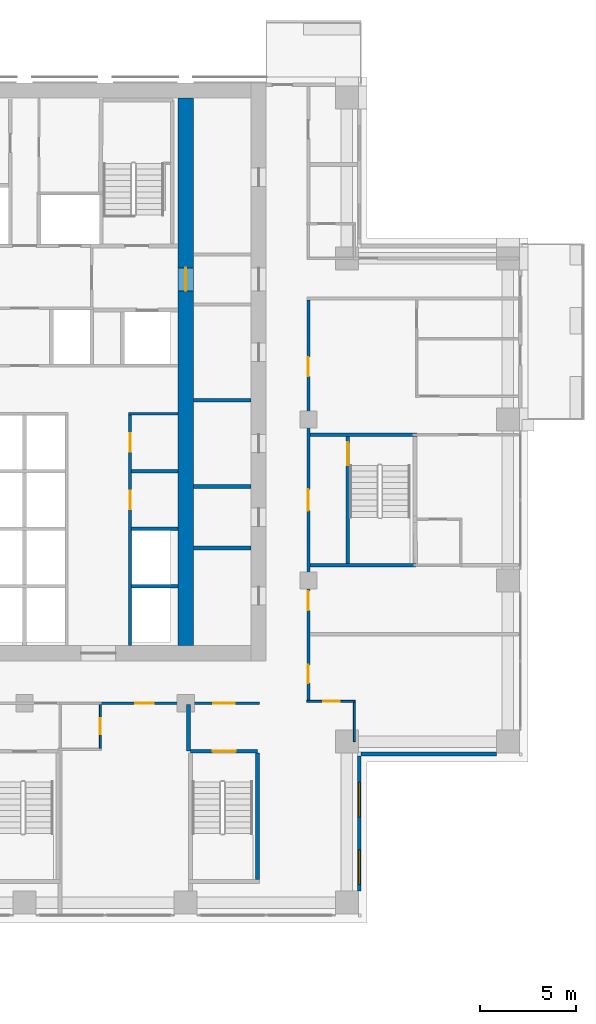
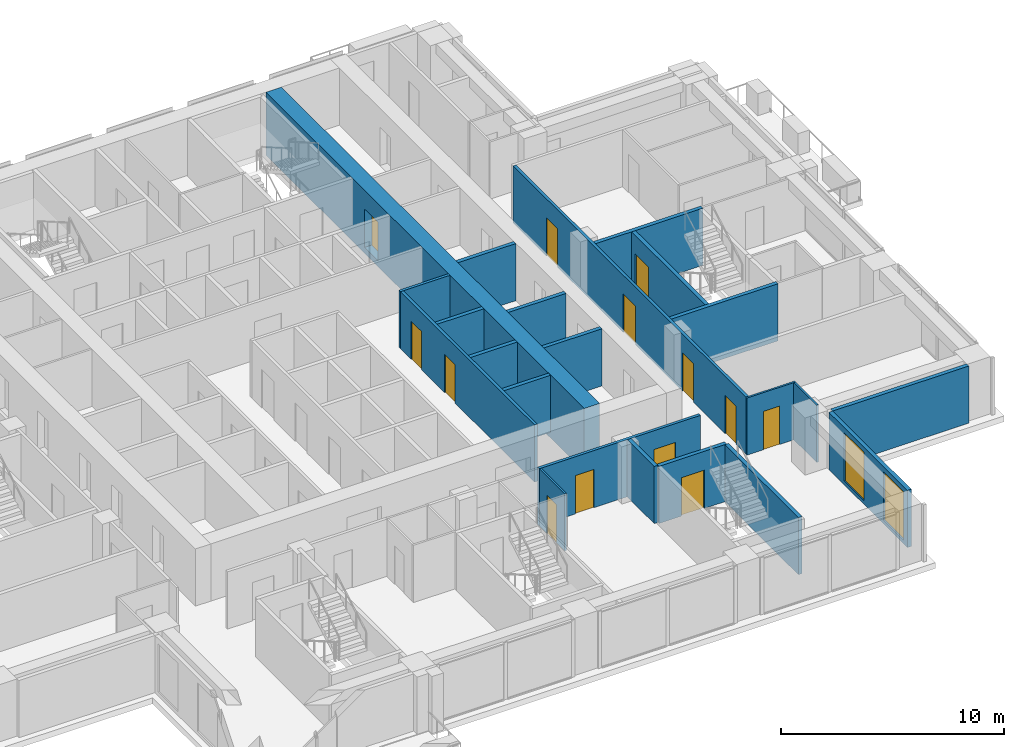
# One storey, part 9 of 17: 22 walls, 13 doors, 2 windows, 15 openings.
"""IFC4 building model written with IfcOpenShell, lengths in metres."""

from ifc_helpers import new_model, si_unit, direction, frame, frame_2d, origin, place, context, subcontext, project, spatial, rectangle, extrude, material, layer, layer_set, type_object, element, fill, save


model = new_model("IFC4")

# Units and contexts
model_context = context("Model", 3, precision=1e-05, world=origin(), true_north=direction((0.0, 1.0)))
body_context = subcontext(model_context, "Body", "Model", "MODEL_VIEW")
ifc_project = project(units=[si_unit("LENGTHUNIT", "METRE"), si_unit("AREAUNIT", "SQUARE_METRE"), si_unit("VOLUMEUNIT", "CUBIC_METRE"), si_unit("PLANEANGLEUNIT", "RADIAN"), si_unit("MASSUNIT", "GRAM", prefix="KILO")], contexts=[model_context])

# Site, building, storey
site_placement = place(None, origin())
site = spatial("IfcSite", under=ifc_project, at=site_placement, CompositionType="ELEMENT")
building_placement = place(site_placement, origin())
building = spatial("IfcBuilding", under=site, at=building_placement, Name="Vermilion Ogive Tower", CompositionType="ELEMENT")
storey_placement = place(building_placement, frame((0.0, 0.0, 83.85009765625)))
storey = spatial("IfcBuildingStorey", under=building, at=storey_placement, Name="L20", CompositionType="ELEMENT", Elevation=83.85009765625)

# Wall, opening, door
ifc_material_1 = material(Name="Concrete B80", Category="concrete")
ifc_layer_1 = layer(ifc_material_1, 0.800048828125)
ifc_layer_set_1 = layer_set([ifc_layer_1], Name="Core wall 800 B80")
wall_type_1 = type_object("IfcWallType", Name="Core wall 800 B80", PredefinedType="SHEAR", material=ifc_layer_set_1)
wall_1_placement = place(storey_placement, frame((8.39990234375, -7.60009765625, -0.320068359375), z_axis=(0.0, 0.0, 1.0), x_axis=(0.0, 1.0, 0.0)))
wall_1 = element("IfcWall", 1, at=wall_1_placement, inside=storey, type_object=wall_type_1, Name="L20-CORE-WEB2", PredefinedType="SHEAR", context=body_context, shape_type="SweptSolid", body=[
    extrude(rectangle(XDim=28.550048828125, YDim=0.800048828125, at=frame_2d((14.27490234375, 0.0))), origin(), (0.0, 0.0, 1.0), 3.449951171875),
])
opening_1_placement = place(wall_1_placement, frame((18.5, 0.0, 0.320068359375)))
opening_1 = element("IfcOpeningElement", 2, at=opening_1_placement, cuts=wall_1, Name="Opening DAO007", PredefinedType="OPENING", context=body_context, shape_type="SweptSolid", body=[
    extrude(rectangle(XDim=1.199951171875, YDim=2.10009765625, at=frame_2d((0.60009765625, 1.050048828125))), frame((0.0, 0.409912109375, 0.0), z_axis=(0.0, -1.0, 0.0), x_axis=(1.0, 0.0, 0.0)), (0.0, 0.0, 1.0), 0.820068359375),
])
ifc_material_2 = material(Name="Timber door leaf", Category="wood")
door_type_1 = type_object("IfcDoorType", Name="Link door 1200 x 2100 FD60S", OperationType="SINGLE_SWING_LEFT", PredefinedType="DOOR", material=ifc_material_2)
door_1_placement = place(opening_1_placement, origin())
door_1 = element("IfcDoor", 3, at=door_1_placement, inside=storey, type_object=door_type_1, Name="L20-CKE-XW", OperationType="SINGLE_SWING_LEFT", OverallHeight=2.10009765625, OverallWidth=1.199951171875, PredefinedType="DOOR", context=body_context, shape_type="SweptSolid", body=[
    extrude(rectangle(XDim=1.199951171875, YDim=2.10009765625, at=frame_2d((0.60009765625, 1.050048828125))), frame((0.0, 0.02490234375, 0.0), z_axis=(0.0, -1.0, 0.0), x_axis=(1.0, 0.0, 0.0)), (0.0, 0.0, 1.0), 0.050048828125),
])
fill(opening_1, door_1)

ifc_material_3 = material(Name="Gypsum board partition on steel studs", Category="steel")
ifc_layer_2 = layer(ifc_material_3, 0.10009765625)
ifc_layer_set_2 = layer_set([ifc_layer_2], Name="Partition 100 bath")
wall_type_2 = type_object("IfcWallType", Name="Partition 100 bath", PredefinedType="PARTITIONING", material=ifc_layer_set_2)
wall_2_placement = place(storey_placement, frame((14.72509765625, -10.5, 0.0), z_axis=(0.0, 0.0, 1.0), x_axis=(1.0, 0.0, 0.0)))
wall_2 = element("IfcWall", 4, at=wall_2_placement, inside=storey, type_object=wall_type_2, Name="L20-W-W012", PredefinedType="PARTITIONING", context=body_context, shape_type="SweptSolid", body=[
    extrude(rectangle(XDim=2.52490234375, YDim=0.10009765625, at=frame_2d((1.262451171875, 0.0))), origin(), (0.0, 0.0, 1.0), 3.1298828125),
])
opening_2_placement = place(wall_2_placement, frame((0.849853515625, 0.0, 0.0)))
opening_2 = element("IfcOpeningElement", 5, at=opening_2_placement, cuts=wall_2, Name="Opening D2G1014", PredefinedType="OPENING", context=body_context, shape_type="SweptSolid", body=[
    extrude(rectangle(XDim=0.85009765625, YDim=2.10009765625, at=frame_2d((0.425048828125, 1.050048828125))), frame((0.0, 0.06005859375, 0.0), z_axis=(0.0, -1.0, 0.0), x_axis=(1.0, 0.0, 0.0)), (0.0, 0.0, 1.0), 0.1201171875),
])
ifc_material_4 = material(Name="Timber door leaf", Category="wood")
door_type_2 = type_object("IfcDoorType", Name="Bath door 850 x 2100 FD30", OperationType="SINGLE_SWING_LEFT", PredefinedType="DOOR", material=ifc_material_4)
door_2_placement = place(opening_2_placement, origin())
door_2 = element("IfcDoor", 6, at=door_2_placement, inside=storey, type_object=door_type_2, Name="L20-D-D014", OperationType="SINGLE_SWING_RIGHT", OverallHeight=2.10009765625, OverallWidth=0.85009765625, PredefinedType="DOOR", context=body_context, shape_type="SweptSolid", body=[
    extrude(rectangle(XDim=0.85009765625, YDim=2.10009765625, at=frame_2d((0.425048828125, 1.050048828125))), frame((0.0, 0.02490234375, 0.0), z_axis=(0.0, -1.0, 0.0), x_axis=(1.0, 0.0, 0.0)), (0.0, 0.0, 1.0), 0.050048828125),
])
fill(opening_2, door_2)

wall_3_placement = place(storey_placement, frame((3.949951171875, -12.949951171875, 0.0), z_axis=(0.0, 0.0, 1.0), x_axis=(0.0, 1.0, 0.0)))
wall_3 = element("IfcWall", 7, at=wall_3_placement, inside=storey, type_object=wall_type_2, Name="L20-W-W055", PredefinedType="PARTITIONING", context=body_context, shape_type="SweptSolid", body=[
    extrude(rectangle(XDim=2.27490234375, YDim=0.10009765625, at=frame_2d((1.137451171875, 0.0))), origin(), (0.0, 0.0, 1.0), 3.1298828125),
])
opening_3_placement = place(wall_3_placement, frame((0.724853515625, 0.0, 0.0)))
opening_3 = element("IfcOpeningElement", 8, at=opening_3_placement, cuts=wall_3, Name="Opening D2G1012", PredefinedType="OPENING", context=body_context, shape_type="SweptSolid", body=[
    extrude(rectangle(XDim=0.85009765625, YDim=2.10009765625, at=frame_2d((0.425048828125, 1.050048828125))), frame((0.0, 0.06005859375, 0.0), z_axis=(0.0, -1.0, 0.0), x_axis=(1.0, 0.0, 0.0)), (0.0, 0.0, 1.0), 0.1201171875),
])
door_3_placement = place(opening_3_placement, origin())
door_3 = element("IfcDoor", 9, at=door_3_placement, inside=storey, type_object=door_type_2, Name="L20-D-D012", OperationType="SINGLE_SWING_LEFT", OverallHeight=2.10009765625, OverallWidth=0.85009765625, PredefinedType="DOOR", context=body_context, shape_type="SweptSolid", body=[
    extrude(rectangle(XDim=0.85009765625, YDim=2.10009765625, at=frame_2d((0.425048828125, 1.050048828125))), frame((0.0, 0.02490234375, 0.0), z_axis=(0.0, -1.0, 0.0), x_axis=(1.0, 0.0, 0.0)), (0.0, 0.0, 1.0), 0.050048828125),
])
fill(opening_3, door_3)

# Wall
wall_4_placement = place(storey_placement, frame((17.199951171875, -12.60009765625, 0.0), z_axis=(0.0, 0.0, 1.0), x_axis=(0.0, 1.0, 0.0)))
element("IfcWall", 10, at=wall_4_placement, inside=storey, type_object=wall_type_2, Name="L20-W-W061", PredefinedType="PARTITIONING", context=body_context, shape_type="SweptSolid", body=[
    extrude(rectangle(XDim=2.050048828125, YDim=0.10009765625, at=frame_2d((1.02490234375, 0.0))), origin(), (0.0, 0.0, 1.0), 3.1298828125),
])

# Wall, openings, doors
ifc_material_5 = material(Name="Gypsum board partition on steel studs", Category="steel")
ifc_layer_3 = layer(ifc_material_5, 0.14990234375)
ifc_layer_set_3 = layer_set([ifc_layer_3], Name="Partition 150 corridor")
wall_type_3 = type_object("IfcWallType", Name="Partition 150 corridor", PredefinedType="PARTITIONING", material=ifc_layer_set_3)
wall_5_placement = place(storey_placement, frame((3.89990234375, -10.60009765625, 0.0), z_axis=(0.0, 0.0, 1.0), x_axis=(1.0, 0.0, 0.0)))
wall_5 = element("IfcWall", 11, at=wall_5_placement, inside=storey, type_object=wall_type_3, Name="L20-W-W011", PredefinedType="PARTITIONING", context=body_context, shape_type="SweptSolid", body=[
    extrude(rectangle(XDim=8.35009765625, YDim=0.14990234375, at=frame_2d((4.175048828125, 0.0))), origin(), (0.0, 0.0, 1.0), 3.1298828125),
])
opening_4_placement = place(wall_5_placement, frame((1.875, 0.0, 0.0)))
opening_4 = element("IfcOpeningElement", 12, at=opening_4_placement, cuts=wall_5, Name="Opening D2G1011", PredefinedType="OPENING", context=body_context, shape_type="SweptSolid", body=[
    extrude(rectangle(XDim=0.949951171875, YDim=2.10009765625, at=frame_2d((0.47509765625, 1.050048828125))), frame((0.0, 0.0849609375, 0.0), z_axis=(0.0, -1.0, 0.0), x_axis=(1.0, 0.0, 0.0)), (0.0, 0.0, 1.0), 0.169921875),
])
opening_5_placement = place(wall_5_placement, frame((5.9501953125, 0.0, 0.0)))
opening_5 = element("IfcOpeningElement", 13, at=opening_5_placement, cuts=wall_5, Name="Opening D2G1027", PredefinedType="OPENING", context=body_context, shape_type="SweptSolid", body=[
    extrude(rectangle(XDim=1.10009765625, YDim=2.10009765625, at=frame_2d((0.550048828125, 1.050048828125))), frame((0.0, 0.0849609375, 0.0), z_axis=(0.0, -1.0, 0.0), x_axis=(1.0, 0.0, 0.0)), (0.0, 0.0, 1.0), 0.169921875),
])
ifc_material_6 = material(Name="Timber door leaf", Category="wood")
door_type_3 = type_object("IfcDoorType", Name="Stair door 1100 x 2100 FD60S", OperationType="SINGLE_SWING_LEFT", PredefinedType="DOOR", material=ifc_material_6)
door_4_placement = place(opening_5_placement, origin())
door_4 = element("IfcDoor", 14, at=door_4_placement, inside=storey, type_object=door_type_3, Name="L20-D-D027", OperationType="SINGLE_SWING_LEFT", OverallHeight=2.10009765625, OverallWidth=1.10009765625, PredefinedType="DOOR", context=body_context, shape_type="SweptSolid", body=[
    extrude(rectangle(XDim=1.10009765625, YDim=2.10009765625, at=frame_2d((0.550048828125, 1.050048828125))), frame((0.0, 0.02490234375, 0.0), z_axis=(0.0, -1.0, 0.0), x_axis=(1.0, 0.0, 0.0)), (0.0, 0.0, 1.0), 0.050048828125),
])
fill(opening_5, door_4)
ifc_material_7 = material(Name="Timber door leaf", Category="wood")
door_type_4 = type_object("IfcDoorType", Name="Unit door 950 x 2100 FD30S", OperationType="SINGLE_SWING_LEFT", PredefinedType="DOOR", material=ifc_material_7)
door_5_placement = place(opening_4_placement, origin())
door_5 = element("IfcDoor", 15, at=door_5_placement, inside=storey, type_object=door_type_4, Name="L20-D-D011", OperationType="SINGLE_SWING_LEFT", OverallHeight=2.10009765625, OverallWidth=0.949951171875, PredefinedType="DOOR", context=body_context, shape_type="SweptSolid", body=[
    extrude(rectangle(XDim=0.949951171875, YDim=2.10009765625, at=frame_2d((0.47509765625, 1.050048828125))), frame((0.0, 0.02490234375, 0.0), z_axis=(0.0, -1.0, 0.0), x_axis=(1.0, 0.0, 0.0)), (0.0, 0.0, 1.0), 0.050048828125),
])
fill(opening_4, door_5)

wall_6_placement = place(storey_placement, frame((14.800048828125, -10.449951171875, 0.0), z_axis=(0.0, 0.0, 1.0), x_axis=(0.0, 1.0, 0.0)))
wall_6 = element("IfcWall", 16, at=wall_6_placement, inside=storey, type_object=wall_type_3, Name="L20-W-W057", PredefinedType="PARTITIONING", context=body_context, shape_type="SweptSolid", body=[
    extrude(rectangle(XDim=20.875, YDim=0.14990234375, at=frame_2d((10.4375, 0.0))), origin(), (0.0, 0.0, 1.0), 3.1298828125),
])
opening_6_placement = place(wall_6_placement, frame((0.89990234375, 0.0, 0.0)))
opening_6 = element("IfcOpeningElement", 17, at=opening_6_placement, cuts=wall_6, Name="Opening D2G1013", PredefinedType="OPENING", context=body_context, shape_type="SweptSolid", body=[
    extrude(rectangle(XDim=0.949951171875, YDim=2.10009765625, at=frame_2d((0.47509765625, 1.050048828125))), frame((0.0, 0.0849609375, 0.0), z_axis=(0.0, -1.0, 0.0), x_axis=(1.0, 0.0, 0.0)), (0.0, 0.0, 1.0), 0.169921875),
])
opening_7_placement = place(wall_6_placement, frame((16.89990234375, 0.0, 0.0)))
opening_7 = element("IfcOpeningElement", 18, at=opening_7_placement, cuts=wall_6, Name="Opening D2G1017", PredefinedType="OPENING", context=body_context, shape_type="SweptSolid", body=[
    extrude(rectangle(XDim=1.0, YDim=2.10009765625, at=frame_2d((0.5, 1.050048828125))), frame((0.0, 0.0849609375, 0.0), z_axis=(0.0, -1.0, 0.0), x_axis=(1.0, 0.0, 0.0)), (0.0, 0.0, 1.0), 0.169921875),
])
opening_8_placement = place(wall_6_placement, frame((9.89990234375, 0.0, 0.0)))
opening_8 = element("IfcOpeningElement", 19, at=opening_8_placement, cuts=wall_6, Name="Opening D2G1029", PredefinedType="OPENING", context=body_context, shape_type="SweptSolid", body=[
    extrude(rectangle(XDim=1.10009765625, YDim=2.10009765625, at=frame_2d((0.550048828125, 1.050048828125))), frame((0.0, 0.0849609375, 0.0), z_axis=(0.0, -1.0, 0.0), x_axis=(1.0, 0.0, 0.0)), (0.0, 0.0, 1.0), 0.169921875),
])
opening_9_placement = place(wall_6_placement, frame((4.699951171875, 0.0, 0.0)))
opening_9 = element("IfcOpeningElement", 20, at=opening_9_placement, cuts=wall_6, Name="Opening D2G1034", PredefinedType="OPENING", context=body_context, shape_type="SweptSolid", body=[
    extrude(rectangle(XDim=1.0, YDim=2.10009765625, at=frame_2d((0.5, 1.050048828125))), frame((0.0, 0.0849609375, 0.0), z_axis=(0.0, -1.0, 0.0), x_axis=(1.0, 0.0, 0.0)), (0.0, 0.0, 1.0), 0.169921875),
])
door_6_placement = place(opening_8_placement, origin())
door_6 = element("IfcDoor", 21, at=door_6_placement, inside=storey, type_object=door_type_3, Name="L20-D-D029", OperationType="SINGLE_SWING_LEFT", OverallHeight=2.10009765625, OverallWidth=1.10009765625, PredefinedType="DOOR", context=body_context, shape_type="SweptSolid", body=[
    extrude(rectangle(XDim=1.10009765625, YDim=2.10009765625, at=frame_2d((0.550048828125, 1.050048828125))), frame((0.0, 0.02490234375, 0.0), z_axis=(0.0, -1.0, 0.0), x_axis=(1.0, 0.0, 0.0)), (0.0, 0.0, 1.0), 0.050048828125),
])
fill(opening_8, door_6)
ifc_material_8 = material(Name="Timber door leaf", Category="wood")
door_type_5 = type_object("IfcDoorType", Name="Unit door 1000 x 2100 FD30S", OperationType="SINGLE_SWING_LEFT", PredefinedType="DOOR", material=ifc_material_8)
door_7_placement = place(opening_7_placement, origin())
door_7 = element("IfcDoor", 22, at=door_7_placement, inside=storey, type_object=door_type_5, Name="L20-D-D017", OperationType="SINGLE_SWING_RIGHT", OverallHeight=2.10009765625, OverallWidth=1.0, PredefinedType="DOOR", context=body_context, shape_type="SweptSolid", body=[
    extrude(rectangle(XDim=1.0, YDim=2.10009765625, at=frame_2d((0.5, 1.050048828125))), frame((0.0, 0.02490234375, 0.0), z_axis=(0.0, -1.0, 0.0), x_axis=(1.0, 0.0, 0.0)), (0.0, 0.0, 1.0), 0.050048828125),
])
fill(opening_7, door_7)
door_8_placement = place(opening_9_placement, origin())
door_8 = element("IfcDoor", 23, at=door_8_placement, inside=storey, type_object=door_type_5, Name="L20-D-D034", OperationType="SINGLE_SWING_RIGHT", OverallHeight=2.10009765625, OverallWidth=1.0, PredefinedType="DOOR", context=body_context, shape_type="SweptSolid", body=[
    extrude(rectangle(XDim=1.0, YDim=2.10009765625, at=frame_2d((0.5, 1.050048828125))), frame((0.0, 0.02490234375, 0.0), z_axis=(0.0, -1.0, 0.0), x_axis=(1.0, 0.0, 0.0)), (0.0, 0.0, 1.0), 0.050048828125),
])
fill(opening_9, door_8)
door_9_placement = place(opening_6_placement, origin())
door_9 = element("IfcDoor", 24, at=door_9_placement, inside=storey, type_object=door_type_4, Name="L20-D-D013", OperationType="SINGLE_SWING_RIGHT", OverallHeight=2.10009765625, OverallWidth=0.949951171875, PredefinedType="DOOR", context=body_context, shape_type="SweptSolid", body=[
    extrude(rectangle(XDim=0.949951171875, YDim=2.10009765625, at=frame_2d((0.47509765625, 1.050048828125))), frame((0.0, 0.02490234375, 0.0), z_axis=(0.0, -1.0, 0.0), x_axis=(1.0, 0.0, 0.0)), (0.0, 0.0, 1.0), 0.050048828125),
])
fill(opening_6, door_9)

# Wall
wall_7_placement = place(storey_placement, frame((5.425048828125, 4.5, 0.0), z_axis=(0.0, 0.0, 1.0), x_axis=(1.0, 0.0, 0.0)))
element("IfcWall", 25, at=wall_7_placement, inside=storey, type_object=wall_type_3, Name="L20-CK-W-W012", PredefinedType="PARTITIONING", context=body_context, shape_type="SweptSolid", body=[
    extrude(rectangle(XDim=2.573974609375, YDim=0.14990234375, at=frame_2d((1.287109375, 0.0))), origin(), (0.0, 0.0, 1.0), 3.1298828125),
])

# Wall, openings, doors
wall_8_placement = place(storey_placement, frame((5.5, -7.59912109375, 0.0), z_axis=(0.0, 0.0, 1.0), x_axis=(0.0, 1.0, 0.0)))
wall_8 = element("IfcWall", 26, at=wall_8_placement, inside=storey, type_object=wall_type_3, Name="L20-CK-W-W040", PredefinedType="PARTITIONING", context=body_context, shape_type="SweptSolid", body=[
    extrude(rectangle(XDim=12.024169921875, YDim=0.14990234375, at=frame_2d((6.01220703125, 0.0))), origin(), (0.0, 0.0, 1.0), 3.1298828125),
])
opening_10_placement = place(wall_8_placement, frame((7.1240234375, 0.0, 0.0)))
opening_10 = element("IfcOpeningElement", 27, at=opening_10_placement, cuts=wall_8, Name="Opening DAA143", PredefinedType="OPENING", context=body_context, shape_type="SweptSolid", body=[
    extrude(rectangle(XDim=0.949951171875, YDim=2.10009765625, at=frame_2d((0.47509765625, 1.050048828125))), frame((0.0, 0.0849609375, 0.0), z_axis=(0.0, -1.0, 0.0), x_axis=(1.0, 0.0, 0.0)), (0.0, 0.0, 1.0), 0.169921875),
])
opening_11_placement = place(wall_8_placement, frame((10.1240234375, 0.0, 0.0)))
opening_11 = element("IfcOpeningElement", 28, at=opening_11_placement, cuts=wall_8, Name="Opening DAA144", PredefinedType="OPENING", context=body_context, shape_type="SweptSolid", body=[
    extrude(rectangle(XDim=0.949951171875, YDim=2.10009765625, at=frame_2d((0.47509765625, 1.050048828125))), frame((0.0, 0.0849609375, 0.0), z_axis=(0.0, -1.0, 0.0), x_axis=(1.0, 0.0, 0.0)), (0.0, 0.0, 1.0), 0.169921875),
])
ifc_material_9 = material(Name="Timber door leaf", Category="wood")
door_type_6 = type_object("IfcDoorType", Name="Service door 950 x 2100 FD60", OperationType="SINGLE_SWING_LEFT", PredefinedType="DOOR", material=ifc_material_9)
door_10_placement = place(opening_10_placement, origin())
door_10 = element("IfcDoor", 29, at=door_10_placement, inside=storey, type_object=door_type_6, Name="L20-CK-D-D009", OperationType="SINGLE_SWING_RIGHT", OverallHeight=2.10009765625, OverallWidth=0.949951171875, PredefinedType="DOOR", context=body_context, shape_type="SweptSolid", body=[
    extrude(rectangle(XDim=0.949951171875, YDim=2.10009765625, at=frame_2d((0.47509765625, 1.050048828125))), frame((0.0, 0.02490234375, 0.0), z_axis=(0.0, -1.0, 0.0), x_axis=(1.0, 0.0, 0.0)), (0.0, 0.0, 1.0), 0.050048828125),
])
fill(opening_10, door_10)
door_11_placement = place(opening_11_placement, origin())
door_11 = element("IfcDoor", 30, at=door_11_placement, inside=storey, type_object=door_type_6, Name="L20-CK-D-D010", OperationType="SINGLE_SWING_RIGHT", OverallHeight=2.10009765625, OverallWidth=0.949951171875, PredefinedType="DOOR", context=body_context, shape_type="SweptSolid", body=[
    extrude(rectangle(XDim=0.949951171875, YDim=2.10009765625, at=frame_2d((0.47509765625, 1.050048828125))), frame((0.0, 0.02490234375, 0.0), z_axis=(0.0, -1.0, 0.0), x_axis=(1.0, 0.0, 0.0)), (0.0, 0.0, 1.0), 0.050048828125),
])
fill(opening_11, door_11)

# Walls
ifc_material_10 = material(Name="Gypsum board partition on steel studs", Category="steel")
ifc_layer_4 = layer(ifc_material_10, 0.199951171875)
ifc_layer_set_4 = layer_set([ifc_layer_4], Name="Partition 200 party")
wall_type_4 = type_object("IfcWallType", Name="Partition 200 party", PredefinedType="PARTITIONING", material=ifc_layer_set_4)
wall_9_placement = place(storey_placement, frame((8.550048828125, -13.10009765625, 0.0), z_axis=(0.0, 0.0, 1.0), x_axis=(0.0, 1.0, 0.0)))
element("IfcWall", 31, at=wall_9_placement, inside=storey, type_object=wall_type_4, Name="L20-W-W056", PredefinedType="PARTITIONING", context=body_context, shape_type="SweptSolid", body=[
    extrude(rectangle(XDim=2.425048828125, YDim=0.199951171875, at=frame_2d((1.21240234375, 0.0))), origin(), (0.0, 0.0, 1.0), 3.1298828125),
])
for number, where, z_axis, x_axis, name in (
    (32, (5.574951171875, -4.5, 0.0), (0.0, 0.0, 1.0), (1.0, 0.0, 0.0), "L20-CK-W-W003"),
    (33, (5.574951171875, -1.5, 0.0), (0.0, 0.0, 1.0), (1.0, 0.0, 0.0), "L20-CK-W-W006"),
    (34, (5.574951171875, 1.5, 0.0), (0.0, 0.0, 1.0), (1.0, 0.0, 0.0), "L20-CK-W-W009"),
):
    element("IfcWall", number, at=place(storey_placement, frame(where, z_axis=z_axis, x_axis=x_axis)), inside=storey, type_object=wall_type_4, Name=name, PredefinedType="PARTITIONING", context=body_context, shape_type="SweptSolid", body=[
        extrude(rectangle(XDim=2.424072265625, YDim=0.199951171875, at=frame_2d((1.2119140625, 0.0))), origin(), (0.0, 0.0, 1.0), 3.1298828125),
    ])
for number, where, z_axis, x_axis, name in (
    (35, (8.801025390625, -2.5, 0.0), (0.0, 0.0, 1.0), (1.0, 0.0, 0.0), "L20-CKE-W-W001"),
    (36, (8.801025390625, 0.699951171875, 0.0), (0.0, 0.0, 1.0), (1.0, 0.0, 0.0), "L20-CKE-W-W002"),
    (37, (8.801025390625, 5.199951171875, 0.0), (0.0, 0.0, 1.0), (1.0, 0.0, 0.0), "L20-CKE-W-W003"),
):
    element("IfcWall", number, at=place(storey_placement, frame(where, z_axis=z_axis, x_axis=x_axis)), inside=storey, type_object=wall_type_4, Name=name, PredefinedType="PARTITIONING", context=body_context, shape_type="SweptSolid", body=[
        extrude(rectangle(XDim=2.998046875, YDim=0.199951171875, at=frame_2d((1.4990234375, 0.0))), origin(), (0.0, 0.0, 1.0), 3.1298828125),
    ])

# Wall, opening, door
ifc_material_11 = material(Name="Concrete B60", Category="concrete")
ifc_layer_5 = layer(ifc_material_11, 0.199951171875)
ifc_layer_set_5 = layer_set([ifc_layer_5], Name="Stair shaft wall 200 Concrete B60")
wall_type_5 = type_object("IfcWallType", Name="Stair shaft wall 200 Concrete B60", PredefinedType="SOLIDWALL", material=ifc_layer_set_5)
wall_10_placement = place(storey_placement, frame((8.64990234375, -13.10009765625, 0.0), z_axis=(0.0, 0.0, 1.0), x_axis=(1.0, 0.0, 0.0)))
wall_10 = element("IfcWall", 38, at=wall_10_placement, inside=storey, type_object=wall_type_5, Name="L20-W-W004", PredefinedType="SOLIDWALL", context=body_context, shape_type="SweptSolid", body=[
    extrude(rectangle(XDim=3.5, YDim=0.199951171875, at=frame_2d((1.75, 0.0))), origin(), (0.0, 0.0, 1.0), 3.1298828125),
])
opening_12_placement = place(wall_10_placement, frame((1.150146484375, 0.0, 0.0)))
opening_12 = element("IfcOpeningElement", 39, at=opening_12_placement, cuts=wall_10, Name="Opening D2G1028", PredefinedType="OPENING", context=body_context, shape_type="SweptSolid", body=[
    extrude(rectangle(XDim=1.199951171875, YDim=2.10009765625, at=frame_2d((0.60009765625, 1.050048828125))), frame((0.0, 0.10986328125, 0.0), z_axis=(0.0, -1.0, 0.0), x_axis=(1.0, 0.0, 0.0)), (0.0, 0.0, 1.0), 0.219970703125),
])
ifc_material_12 = material(Name="Timber door leaf", Category="wood")
door_type_7 = type_object("IfcDoorType", Name="Stair door 1200 x 2100 FD60S", OperationType="SINGLE_SWING_LEFT", PredefinedType="DOOR", material=ifc_material_12)
door_12_placement = place(opening_12_placement, origin())
door_12 = element("IfcDoor", 40, at=door_12_placement, inside=storey, type_object=door_type_7, Name="L20-D-D028", OperationType="SINGLE_SWING_RIGHT", OverallHeight=2.10009765625, OverallWidth=1.199951171875, PredefinedType="DOOR", context=body_context, shape_type="SweptSolid", body=[
    extrude(rectangle(XDim=1.199951171875, YDim=2.10009765625, at=frame_2d((0.60009765625, 1.050048828125))), frame((0.0, 0.02490234375, 0.0), z_axis=(0.0, -1.0, 0.0), x_axis=(1.0, 0.0, 0.0)), (0.0, 0.0, 1.0), 0.050048828125),
])
fill(opening_12, door_12)

# Walls
wall_11_placement = place(storey_placement, frame((14.875, -3.39990234375, 0.0), z_axis=(0.0, 0.0, 1.0), x_axis=(1.0, 0.0, 0.0)))
element("IfcWall", 41, at=wall_11_placement, inside=storey, type_object=wall_type_5, Name="L20-W-W018", PredefinedType="SOLIDWALL", context=body_context, shape_type="SweptSolid", body=[
    extrude(rectangle(XDim=5.52490234375, YDim=0.199951171875, at=frame_2d((2.762451171875, 0.0))), origin(), (0.0, 0.0, 1.0), 3.1298828125),
])
wall_12_placement = place(storey_placement, frame((14.875, 3.39990234375, 0.0), z_axis=(0.0, 0.0, 1.0), x_axis=(1.0, 0.0, 0.0)))
element("IfcWall", 42, at=wall_12_placement, inside=storey, type_object=wall_type_5, Name="L20-W-W025", PredefinedType="SOLIDWALL", context=body_context, shape_type="SweptSolid", body=[
    extrude(rectangle(XDim=5.574951171875, YDim=0.199951171875, at=frame_2d((2.78759765625, 0.0))), origin(), (0.0, 0.0, 1.0), 3.1298828125),
])

# Wall, opening, door
wall_13_placement = place(storey_placement, frame((16.85009765625, -3.300048828125, 0.0), z_axis=(0.0, 0.0, 1.0), x_axis=(0.0, 1.0, 0.0)))
wall_13 = element("IfcWall", 43, at=wall_13_placement, inside=storey, type_object=wall_type_5, Name="L20-W-W060", PredefinedType="SOLIDWALL", context=body_context, shape_type="SweptSolid", body=[
    extrude(rectangle(XDim=6.60009765625, YDim=0.199951171875, at=frame_2d((3.300048828125, 0.0))), origin(), (0.0, 0.0, 1.0), 3.1298828125),
])
opening_13_placement = place(wall_13_placement, frame((5.10009765625, 0.0, 0.0)))
opening_13 = element("IfcOpeningElement", 44, at=opening_13_placement, cuts=wall_13, Name="Opening D2G1030", PredefinedType="OPENING", context=body_context, shape_type="SweptSolid", body=[
    extrude(rectangle(XDim=1.199951171875, YDim=2.10009765625, at=frame_2d((0.60009765625, 1.050048828125))), frame((0.0, 0.10986328125, 0.0), z_axis=(0.0, -1.0, 0.0), x_axis=(1.0, 0.0, 0.0)), (0.0, 0.0, 1.0), 0.219970703125),
])
door_13_placement = place(opening_13_placement, origin())
door_13 = element("IfcDoor", 45, at=door_13_placement, inside=storey, type_object=door_type_7, Name="L20-D-D030", OperationType="SINGLE_SWING_LEFT", OverallHeight=2.10009765625, OverallWidth=1.199951171875, PredefinedType="DOOR", context=body_context, shape_type="SweptSolid", body=[
    extrude(rectangle(XDim=1.199951171875, YDim=2.10009765625, at=frame_2d((0.60009765625, 1.050048828125))), frame((0.0, 0.02490234375, 0.0), z_axis=(0.0, -1.0, 0.0), x_axis=(1.0, 0.0, 0.0)), (0.0, 0.0, 1.0), 0.050048828125),
])
fill(opening_13, door_13)

# Wall
wall_14_placement = place(storey_placement, frame((12.14990234375, -19.800048828125, 0.0), z_axis=(0.0, 0.0, 1.0), x_axis=(0.0, 1.0, 0.0)))
element("IfcWall", 46, at=wall_14_placement, inside=storey, type_object=wall_type_5, Name="L20-SW-ST5-E1", PredefinedType="SOLIDWALL", context=body_context, shape_type="SweptSolid", body=[
    extrude(rectangle(XDim=6.60009765625, YDim=0.199951171875, at=frame_2d((3.300048828125, 0.0))), origin(), (0.0, 0.0, 1.0), 3.1298828125),
])

# Wall, openings, windows
ifc_material_13 = material(Name="Aluminium window wall framing", Category="aluminium")
ifc_layer_6 = layer(ifc_material_13, 0.199951171875)
ifc_layer_set_6 = layer_set([ifc_layer_6], Name="Window wall")
wall_type_6 = type_object("IfcWallType", Name="Window wall", PredefinedType="STANDARD", material=ifc_layer_set_6)
wall_15_placement = place(storey_placement, frame((17.449951171875, -20.39990234375, 0.0), z_axis=(0.0, 0.0, 1.0), x_axis=(0.0, 1.0, 0.0)))
wall_15 = element("IfcWall", 47, at=wall_15_placement, inside=storey, type_object=wall_type_6, Name="Window wall X11", PredefinedType="STANDARD", context=body_context, shape_type="SweptSolid", body=[
    extrude(rectangle(XDim=7.0498046875, YDim=0.199951171875, at=frame_2d((3.52490234375, 0.0))), origin(), (0.0, 0.0, 1.0), 3.1298828125),
])
opening_14_placement = place(wall_15_placement, frame((0.35009765625, 0.0, 0.199951171875)))
opening_14 = element("IfcOpeningElement", 48, at=opening_14_placement, cuts=wall_15, Name="Opening W1-X195", PredefinedType="OPENING", context=body_context, shape_type="SweptSolid", body=[
    extrude(rectangle(XDim=1.800048828125, YDim=2.64990234375, at=frame_2d((0.89990234375, 1.324951171875))), frame((0.0, 0.10986328125, 0.0), z_axis=(0.0, -1.0, 0.0), x_axis=(1.0, 0.0, 0.0)), (0.0, 0.0, 1.0), 0.219970703125),
])
opening_15_placement = place(wall_15_placement, frame((3.875, 0.0, 0.199951171875)))
opening_15 = element("IfcOpeningElement", 49, at=opening_15_placement, cuts=wall_15, Name="Opening W1-X196", PredefinedType="OPENING", context=body_context, shape_type="SweptSolid", body=[
    extrude(rectangle(XDim=1.800048828125, YDim=2.64990234375, at=frame_2d((0.89990234375, 1.324951171875))), frame((0.0, 0.10986328125, 0.0), z_axis=(0.0, -1.0, 0.0), x_axis=(1.0, 0.0, 0.0)), (0.0, 0.0, 1.0), 0.219970703125),
])
ifc_material_14 = material(Name="Aluminium framed double glazing", Category="aluminium")
window_type = type_object("IfcWindowType", Name="Guest window W1", PartitioningType="SINGLE_PANEL", PredefinedType="WINDOW", material=ifc_material_14)
window_1_placement = place(opening_14_placement, origin())
window_1 = element("IfcWindow", 50, at=window_1_placement, inside=storey, type_object=window_type, Name="Window X195", OverallHeight=2.64990234375, OverallWidth=1.800048828125, PartitioningType="SINGLE_PANEL", PredefinedType="WINDOW", context=body_context, shape_type="SweptSolid", body=[
    extrude(rectangle(XDim=1.800048828125, YDim=2.64990234375, at=frame_2d((0.89990234375, 1.324951171875))), frame((0.0, 0.030029296875, 0.0), z_axis=(0.0, -1.0, 0.0), x_axis=(1.0, 0.0, 0.0)), (0.0, 0.0, 1.0), 0.06005859375),
])
fill(opening_14, window_1)
window_2_placement = place(opening_15_placement, origin())
window_2 = element("IfcWindow", 51, at=window_2_placement, inside=storey, type_object=window_type, Name="Window X196", OverallHeight=2.64990234375, OverallWidth=1.800048828125, PartitioningType="SINGLE_PANEL", PredefinedType="WINDOW", context=body_context, shape_type="SweptSolid", body=[
    extrude(rectangle(XDim=1.800048828125, YDim=2.64990234375, at=frame_2d((0.89990234375, 1.324951171875))), frame((0.0, 0.030029296875, 0.0), z_axis=(0.0, -1.0, 0.0), x_axis=(1.0, 0.0, 0.0)), (0.0, 0.0, 1.0), 0.06005859375),
])
fill(opening_15, window_2)

# Wall
wall_16_placement = place(storey_placement, frame((17.550048828125, -13.25, 0.0), z_axis=(0.0, 0.0, 1.0), x_axis=(1.0, 0.0, 0.0)))
element("IfcWall", 52, at=wall_16_placement, inside=storey, type_object=wall_type_6, Name="Window wall X21", PredefinedType="STANDARD", context=body_context, shape_type="SweptSolid", body=[
    extrude(rectangle(XDim=7.050048828125, YDim=0.199951171875, at=frame_2d((3.52490234375, 0.0))), origin(), (0.0, 0.0, 1.0), 3.1298828125),
])

save(model, "model.ifc")
